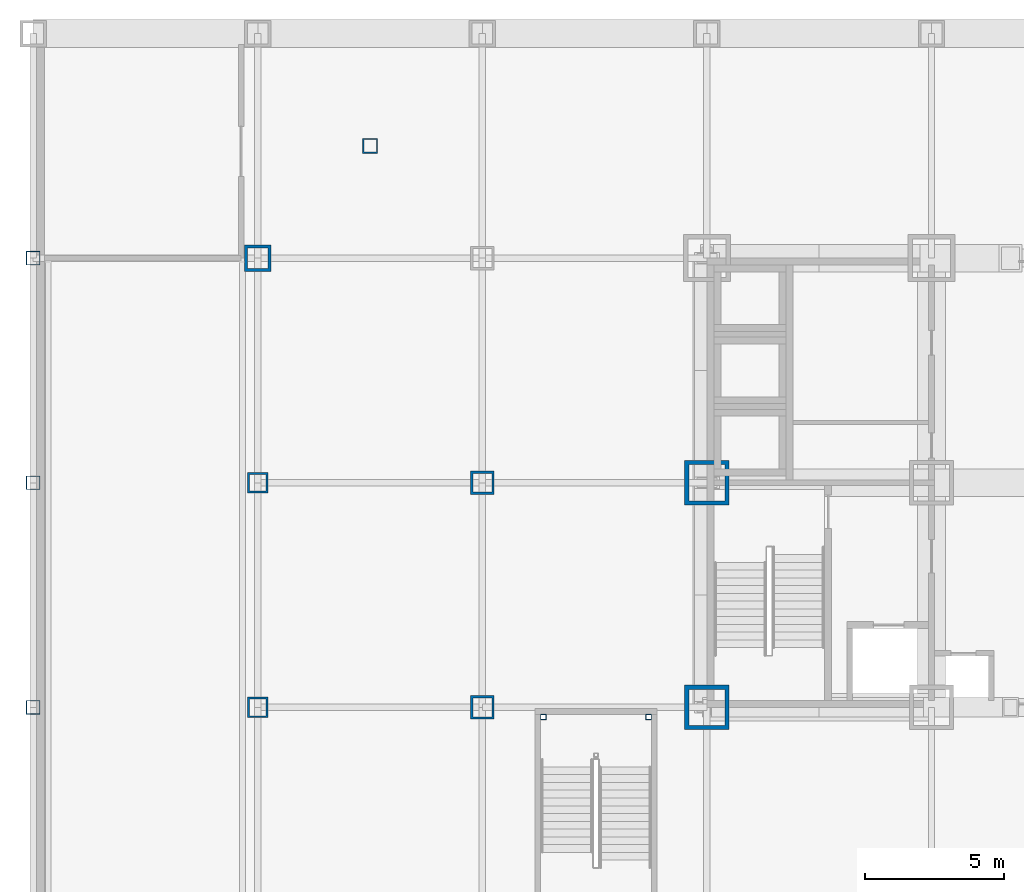
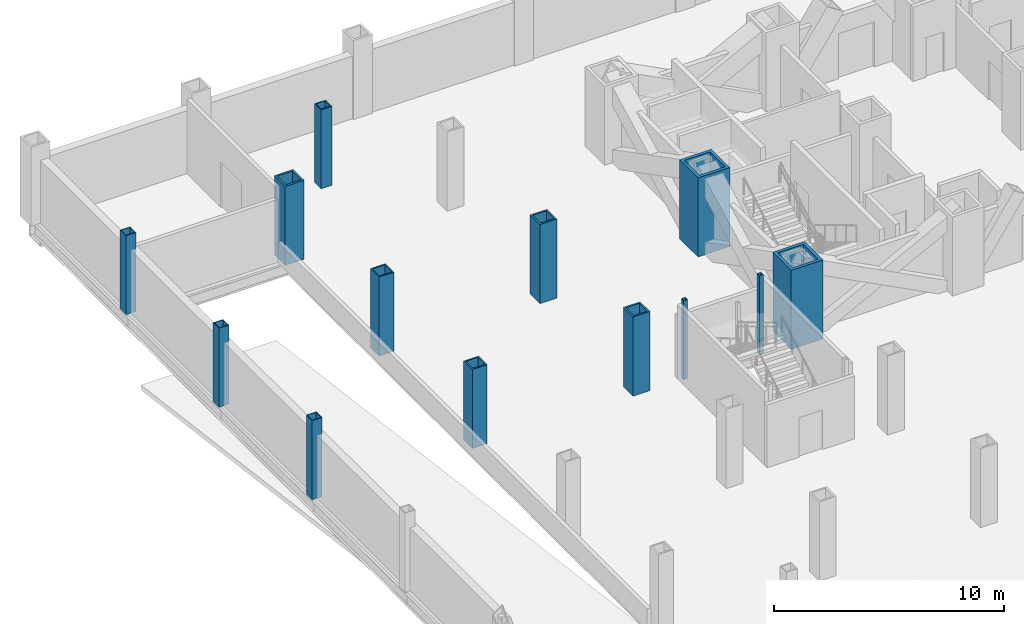
# One storey, part 5 of 14: 13 columns.
"""IFC4 building model written with IfcOpenShell, lengths in metres."""

import ifcopenshell
import ifcopenshell.guid

model = None  # the IFC model being written
_history = None  # IfcOwnerHistory: only IFC2X3 demands one
_inside = {}  # id of a spatial element -> (the spatial element, [elements in it])
_under = {}  # id of a project, library or spatial element -> (it, [spatial elements below it])
_declared = {}  # id of a project -> (the project, [libraries it declares])
_typed = {}  # id of a type object -> (the type object, [elements of that type])
_made_of = {}  # id of a material, layer set ... -> (it, [elements and type objects made of it])


def new_model(schema):
    """Start an empty IFC model of exactly this schema.

    Asked for "IFC4X3", IfcOpenShell would pick the latest addendum, in which some entities
    have other attributes; the version numbers below select the first issue.
    IFC2X3 requires an IfcOwnerHistory on every rooted entity: one is made here for all.
    """
    global model, _history
    if schema == "IFC4X3":
        model = ifcopenshell.file(schema_version=(4, 3, 0, 0))
    else:
        model = ifcopenshell.file(schema=schema)
    _inside.clear()
    _under.clear()
    _declared.clear()
    _typed.clear()
    _made_of.clear()
    _history = None
    if model.schema == "IFC2X3":
        org = make("IfcOrganization", Name="unknown")
        user = make(
            "IfcPersonAndOrganization",
            ThePerson=make("IfcPerson", FamilyName="unknown"),
            TheOrganization=org,
        )
        app = make(
            "IfcApplication",
            ApplicationDeveloper=org,
            Version="unknown",
            ApplicationFullName="unknown",
            ApplicationIdentifier="unknown",
        )
        _history = make(
            "IfcOwnerHistory",
            OwningUser=user,
            OwningApplication=app,
            ChangeAction="ADDED",
            CreationDate=0,
        )
    return model


def make(cls, **values):
    """One entity of the class cls with the attributes given. An attribute that is None is left unset."""
    return model.create_entity(
        cls, **{name: value for name, value in values.items() if value is not None}
    )


def rooted(cls, **values):
    """An entity with a GlobalId (a new one), such as an element, a storey or a relation."""
    return make(cls, GlobalId=ifcopenshell.guid.new(), OwnerHistory=_history, **values)


def si_unit(unit_type, name, prefix=None):
    """IfcSIUnit, for example si_unit("LENGTHUNIT", "METRE", prefix="MILLI")."""
    return make("IfcSIUnit", UnitType=unit_type, Prefix=prefix, Name=name)


def assignment(units):
    """IfcUnitAssignment: the units of a project."""
    return None if units is None else make("IfcUnitAssignment", Units=units)


def point(xyz):
    """IfcCartesianPoint."""
    return None if xyz is None else make("IfcCartesianPoint", Coordinates=xyz)


def direction(xyz):
    """IfcDirection."""
    return None if xyz is None else make("IfcDirection", DirectionRatios=xyz)


def frame(location, z_axis=None, x_axis=None):
    """IfcAxis2Placement3D, a coordinate frame: its origin and axes. An axis left out is left unset."""
    return make(
        "IfcAxis2Placement3D",
        Location=point(location),
        Axis=direction(z_axis),
        RefDirection=direction(x_axis),
    )


def frame_2d(location, x_axis=None):
    """IfcAxis2Placement2D, a coordinate frame in the plane: its origin and x axis."""
    return make(
        "IfcAxis2Placement2D", Location=point(location), RefDirection=direction(x_axis)
    )


def origin():
    """The frame at (0, 0, 0) with its axes left unset."""
    return frame((0.0, 0.0, 0.0))


def origin_2d():
    """The frame at (0, 0) in the plane with its x axis left unset."""
    return frame_2d((0.0, 0.0))


def place(relative_to, where):
    """IfcLocalPlacement: puts the frame where relative to a parent placement (None: the world)."""
    return make(
        "IfcLocalPlacement", PlacementRelTo=relative_to, RelativePlacement=where
    )


def context(
    kind, dimensions, precision=None, world=None, true_north=None, identifier=None
):
    """IfcGeometricRepresentationContext, for example the 3D "Model" context."""
    return make(
        "IfcGeometricRepresentationContext",
        ContextIdentifier=identifier,
        ContextType=kind,
        CoordinateSpaceDimension=dimensions,
        Precision=precision,
        WorldCoordinateSystem=world,
        TrueNorth=true_north,
    )


def subcontext(parent, identifier, kind, view, scale=None):
    """IfcGeometricRepresentationSubContext, for example "Body" below "Model"."""
    return make(
        "IfcGeometricRepresentationSubContext",
        ContextIdentifier=identifier,
        ContextType=kind,
        ParentContext=parent,
        TargetScale=scale,
        TargetView=view,
    )


def project(units=None, contexts=None):
    """IfcProject with its units and contexts."""
    return rooted(
        "IfcProject",
        Name="project",
        RepresentationContexts=contexts,
        UnitsInContext=assignment(units),
    )


def spatial(cls, under=None, at=None, **own):
    """A site, building, storey or space (cls), placed at a placement, below another one or the project."""
    s = rooted(cls, ObjectPlacement=at, **own)
    if under is not None:
        _under.setdefault(under.id(), (under, []))[1].append(s)
    return s


def profile(cls, at=None, kind="AREA", **sizes):
    """A parametric profile (cls). Its sizes go by their IFC names, for example OverallWidth=200.0."""
    return make(cls, ProfileType=kind, Position=at, **sizes)


def hollow_rectangle(**sizes):
    """IfcRectangleHollowProfileDef."""
    return profile("IfcRectangleHollowProfileDef", **sizes)


def extrude(swept, where, along, depth):
    """IfcExtrudedAreaSolid: the profile swept, set in the frame where, extruded along a direction by depth."""
    return make(
        "IfcExtrudedAreaSolid",
        SweptArea=swept,
        Position=where,
        ExtrudedDirection=direction(along),
        Depth=depth,
    )


def shape(context_of_items, identifier, shape_type, items):
    """IfcShapeRepresentation: the items that make up one representation, for example the "Body"."""
    return make(
        "IfcShapeRepresentation",
        ContextOfItems=context_of_items,
        RepresentationIdentifier=identifier,
        RepresentationType=shape_type,
        Items=items,
    )


def material(Name=None, Category=None):
    """IfcMaterial."""
    return make("IfcMaterial", Name=Name, Category=Category)


def material_profile(
    of_material, cross_section, Name=None, Category=None, Priority=None
):
    """IfcMaterialProfile: a cross section and its material."""
    return make(
        "IfcMaterialProfile",
        Name=Name,
        Material=of_material,
        Profile=cross_section,
        Priority=Priority,
        Category=Category,
    )


def profile_set(profiles, Name=None, composite=None):
    """IfcMaterialProfileSet."""
    return make(
        "IfcMaterialProfileSet",
        Name=Name,
        MaterialProfiles=profiles,
        CompositeProfile=composite,
    )


def made_of(thing, what):
    """Note that an element or type object is made of a material, layer set ...; save() writes the relation."""
    if what is not None:
        _made_of.setdefault(what.id(), (what, []))[1].append(thing)
    return thing


def type_object(cls, material=None, **own):
    """A type object (cls), such as IfcWallType, which elements share."""
    return made_of(rooted(cls, **own), material)


def element(
    cls,
    number,
    at=None,
    inside=None,
    cuts=None,
    type_object=None,
    material=None,
    context=None,
    identifier="Body",
    shape_type=None,
    held_by="IfcProductDefinitionShape",
    body=None,
    shapes=None,
    **own,
):
    """One element of the class cls, such as IfcWall. Its Tag is "e" and its number.

    at: its placement. inside: the storey or other place that contains it. cuts: it is an
    opening in that element (IfcRelVoidsElement). A single representation is given by context,
    identifier, shape_type and body (its items); several are given by shapes. held_by: the class
    of the entity that holds the representations. save() writes the other relations.
    """
    e = rooted(cls, Tag="e%d" % number, ObjectPlacement=at, **own)
    if body is not None:
        shapes = [shape(context, identifier, shape_type, body)]
    if shapes is not None:
        e.Representation = make(held_by, Representations=shapes)
    if inside is not None:
        _inside.setdefault(inside.id(), (inside, []))[1].append(e)
    if cuts is not None:
        rooted(
            "IfcRelVoidsElement", RelatingBuildingElement=cuts, RelatedOpeningElement=e
        )
    if type_object is not None:
        _typed.setdefault(type_object.id(), (type_object, []))[1].append(e)
    return made_of(e, material)


def aggregate(whole, parts):
    """IfcRelAggregates: a whole, such as a stair, and the parts it consists of."""
    return rooted("IfcRelAggregates", RelatingObject=whole, RelatedObjects=parts)


def save(model, path):
    """Write the relations noted so far, then the file.

    IfcRelAggregates (storeys below a building ...), IfcRelContainedInSpatialStructure (elements
    in a storey), IfcRelDefinesByType, IfcRelAssociatesMaterial and IfcRelDeclares: one each for
    every whole, place, type object, material and project.
    """
    for whole, parts in _under.values():
        aggregate(whole, parts)
    for where, things in _inside.values():
        rooted(
            "IfcRelContainedInSpatialStructure",
            RelatedElements=things,
            RelatingStructure=where,
        )
    for kind, things in _typed.values():
        rooted("IfcRelDefinesByType", RelatedObjects=things, RelatingType=kind)
    for what, things in _made_of.values():
        rooted("IfcRelAssociatesMaterial", RelatedObjects=things, RelatingMaterial=what)
    for by, libraries in _declared.values():
        rooted("IfcRelDeclares", RelatingContext=by, RelatedDefinitions=libraries)
    model.write(path)


model = new_model("IFC4")

# Units and contexts
model_context = context("Model", 3, precision=1e-05, world=origin(), true_north=direction((0.0, 1.0)))
body_context = subcontext(model_context, "Body", "Model", "MODEL_VIEW")
ifc_project = project(units=[si_unit("LENGTHUNIT", "METRE"), si_unit("AREAUNIT", "SQUARE_METRE"), si_unit("VOLUMEUNIT", "CUBIC_METRE"), si_unit("PLANEANGLEUNIT", "RADIAN"), si_unit("MASSUNIT", "GRAM", prefix="KILO")], contexts=[model_context])

# Site, building, storey
site_placement = place(None, origin())
site = spatial("IfcSite", under=ifc_project, at=site_placement, CompositionType="ELEMENT")
building_placement = place(site_placement, origin())
building = spatial("IfcBuilding", under=site, at=building_placement, Name="Kopane Lantern Tower", CompositionType="ELEMENT")
storey_placement = place(building_placement, frame((0.0, 0.0, -4.199951171875)))
storey = spatial("IfcBuildingStorey", under=building, at=storey_placement, Name="L-01", CompositionType="ELEMENT", Elevation=-4.199951171875)

# Columns
ifc_material_1 = material(Name="Steel S355JR", Category="steel")
ifc_material_profile_1 = material_profile(ifc_material_1, hollow_rectangle(XDim=1.60009765625, YDim=1.60009765625, WallThickness=0.14990234375, at=origin_2d()), Name="BOX 1600x1600x150")
ifc_profile_set_1 = profile_set([ifc_material_profile_1], Name="Steel S355JR")
column_type_1 = type_object("IfcColumnType", Name="COLUMN BOX 1600x1600x150", PredefinedType="COLUMN", material=ifc_profile_set_1)
for number, where, z_axis, x_axis, name in (
    (1, (16.199951171875, 24.300048828125, 0.0), (0.0, 0.0, 1.0), (1.0, 0.0, 0.0), "Column 4/E L-01"),
    (2, (16.199951171875, 32.39990234375, 0.0), (0.0, 0.0, 1.0), (1.0, 0.0, 0.0), "Column 4/F L-01"),
):
    element("IfcColumn", number, at=place(storey_placement, frame(where, z_axis=z_axis, x_axis=x_axis)), inside=storey, type_object=column_type_1, Name=name, PredefinedType="COLUMN", context=body_context, shape_type="SweptSolid", body=[
        extrude(hollow_rectangle(XDim=1.60009765625, YDim=1.60009765625, WallThickness=0.14990234375, at=origin_2d()), origin(), (0.0, 0.0, 1.0), 4.199951171875),
    ])
ifc_material_2 = material(Name="Steel S355JR", Category="steel")
ifc_material_profile_2 = material_profile(ifc_material_2, hollow_rectangle(XDim=0.5, YDim=0.5, WallThickness=0.030029296875, at=origin_2d()), Name="BOX 500x500x30")
ifc_profile_set_2 = profile_set([ifc_material_profile_2], Name="Steel S355JR")
column_type_2 = type_object("IfcColumnType", Name="COLUMN BOX 500x500x30", PredefinedType="COLUMN", material=ifc_profile_set_2)
for number, where, z_axis, x_axis, name in (
    (3, (-8.10009765625, 24.300048828125, 0.0), (0.0, 0.0, 1.0), (1.0, 0.0, 0.0), "Column 1/E L-01"),
    (4, (-8.10009765625, 32.39990234375, 0.0), (0.0, 0.0, 1.0), (1.0, 0.0, 0.0), "Column 1/F L-01"),
    (5, (-8.10009765625, 40.5, 0.0), (0.0, 0.0, 1.0), (1.0, 0.0, 0.0), "Column 1/G L-01"),
):
    element("IfcColumn", number, at=place(storey_placement, frame(where, z_axis=z_axis, x_axis=x_axis)), inside=storey, type_object=column_type_2, Name=name, PredefinedType="COLUMN", context=body_context, shape_type="SweptSolid", body=[
        extrude(hollow_rectangle(XDim=0.5, YDim=0.5, WallThickness=0.030029296875, at=origin_2d()), origin(), (0.0, 0.0, 1.0), 4.199951171875),
    ])
ifc_material_3 = material(Name="Steel S355JR", Category="steel")
ifc_material_profile_3 = material_profile(ifc_material_3, hollow_rectangle(XDim=0.550048828125, YDim=0.550048828125, WallThickness=0.050048828125, at=origin_2d()), Name="BOX 550x550x50")
ifc_profile_set_3 = profile_set([ifc_material_profile_3], Name="Steel S355JR")
column_type_3 = type_object("IfcColumnType", Name="COLUMN BOX 550x550x50", PredefinedType="COLUMN", material=ifc_profile_set_3)
column_1_placement = place(storey_placement, frame((4.050048828125, 44.550048828125, 0.0), z_axis=(0.0, 0.0, 1.0), x_axis=(1.0, 0.0, 0.0)))
element("IfcColumn", 6, at=column_1_placement, inside=storey, type_object=column_type_3, Name="Column 4.05/44.55 L-01", PredefinedType="COLUMN", context=body_context, shape_type="SweptSolid", body=[
    extrude(hollow_rectangle(XDim=0.550048828125, YDim=0.550048828125, WallThickness=0.050048828125, at=origin_2d()), origin(), (0.0, 0.0, 1.0), 4.199951171875),
])
ifc_material_4 = material(Name="Steel S355JR", Category="steel")
ifc_material_profile_4 = material_profile(ifc_material_4, hollow_rectangle(XDim=0.75, YDim=0.75, WallThickness=0.070068359375, at=origin_2d()), Name="BOX 750x750x70")
ifc_profile_set_4 = profile_set([ifc_material_profile_4], Name="Steel S355JR")
column_type_4 = type_object("IfcColumnType", Name="COLUMN BOX 750x750x70", PredefinedType="COLUMN", material=ifc_profile_set_4)
for number, where, z_axis, x_axis, name in (
    (7, (0.0, 24.300048828125, 0.0), (0.0, 0.0, 1.0), (1.0, 0.0, 0.0), "Column 2/E L-01"),
    (8, (0.0, 32.39990234375, 0.0), (0.0, 0.0, 1.0), (1.0, 0.0, 0.0), "Column 2/F L-01"),
):
    element("IfcColumn", number, at=place(storey_placement, frame(where, z_axis=z_axis, x_axis=x_axis)), inside=storey, type_object=column_type_4, Name=name, PredefinedType="COLUMN", context=body_context, shape_type="SweptSolid", body=[
        extrude(hollow_rectangle(XDim=0.75, YDim=0.75, WallThickness=0.070068359375, at=origin_2d()), origin(), (0.0, 0.0, 1.0), 4.199951171875),
    ])
ifc_material_5 = material(Name="Steel S355JR", Category="steel")
ifc_material_profile_5 = material_profile(ifc_material_5, hollow_rectangle(XDim=0.85009765625, YDim=0.85009765625, WallThickness=0.0849609375, at=origin_2d()), Name="BOX 850x850x85")
ifc_profile_set_5 = profile_set([ifc_material_profile_5], Name="Steel S355JR")
column_type_5 = type_object("IfcColumnType", Name="COLUMN BOX 850x850x85", PredefinedType="COLUMN", material=ifc_profile_set_5)
for number, where, z_axis, x_axis, name in (
    (9, (8.10009765625, 24.300048828125, 0.0), (0.0, 0.0, 1.0), (1.0, 0.0, 0.0), "Column 3/E L-01"),
    (10, (8.10009765625, 32.39990234375, 0.0), (0.0, 0.0, 1.0), (1.0, 0.0, 0.0), "Column 3/F L-01"),
):
    element("IfcColumn", number, at=place(storey_placement, frame(where, z_axis=z_axis, x_axis=x_axis)), inside=storey, type_object=column_type_5, Name=name, PredefinedType="COLUMN", context=body_context, shape_type="SweptSolid", body=[
        extrude(hollow_rectangle(XDim=0.85009765625, YDim=0.85009765625, WallThickness=0.0849609375, at=origin_2d()), origin(), (0.0, 0.0, 1.0), 4.199951171875),
    ])
ifc_material_6 = material(Name="Steel S355JR", Category="steel")
ifc_material_profile_6 = material_profile(ifc_material_6, hollow_rectangle(XDim=0.949951171875, YDim=0.949951171875, WallThickness=0.10009765625, at=origin_2d()), Name="BOX 950x950x100")
ifc_profile_set_6 = profile_set([ifc_material_profile_6], Name="Steel S355JR")
column_type_6 = type_object("IfcColumnType", Name="COLUMN BOX 950x950x100", PredefinedType="COLUMN", material=ifc_profile_set_6)
column_2_placement = place(storey_placement, frame((0.0, 40.5, 0.0), z_axis=(0.0, 0.0, 1.0), x_axis=(1.0, 0.0, 0.0)))
element("IfcColumn", 11, at=column_2_placement, inside=storey, type_object=column_type_6, Name="Column 2/G L-01", PredefinedType="COLUMN", context=body_context, shape_type="SweptSolid", body=[
    extrude(hollow_rectangle(XDim=0.949951171875, YDim=0.949951171875, WallThickness=0.10009765625, at=origin_2d()), origin(), (0.0, 0.0, 1.0), 4.199951171875),
])
ifc_material_7 = material(Name="Steel S355JR", Category="steel")
ifc_material_profile_7 = material_profile(ifc_material_7, hollow_rectangle(XDim=0.199951171875, YDim=0.199951171875, WallThickness=0.011962890625, at=origin_2d()), Name="BOX 200x200x12")
ifc_profile_set_7 = profile_set([ifc_material_profile_7], Name="Steel S355JR")
column_type_7 = type_object("IfcColumnType", Name="STAIR POST BOX 200x200x12", PredefinedType="COLUMN", material=ifc_profile_set_7)
for number, where, z_axis, x_axis, name in (
    (12, (10.300048828125, 23.949951171875, 0.0), (0.0, 0.0, 1.0), (1.0, 0.0, 0.0), "Stair post ST3 NW L-01"),
    (13, (14.10009765625, 23.949951171875, 0.0), (0.0, 0.0, 1.0), (1.0, 0.0, 0.0), "Stair post ST3 NE L-01"),
):
    element("IfcColumn", number, at=place(storey_placement, frame(where, z_axis=z_axis, x_axis=x_axis)), inside=storey, type_object=column_type_7, Name=name, PredefinedType="COLUMN", context=body_context, shape_type="SweptSolid", body=[
        extrude(hollow_rectangle(XDim=0.199951171875, YDim=0.199951171875, WallThickness=0.011962890625, at=origin_2d()), origin(), (0.0, 0.0, 1.0), 4.199951171875),
    ])

save(model, "model.ifc")
